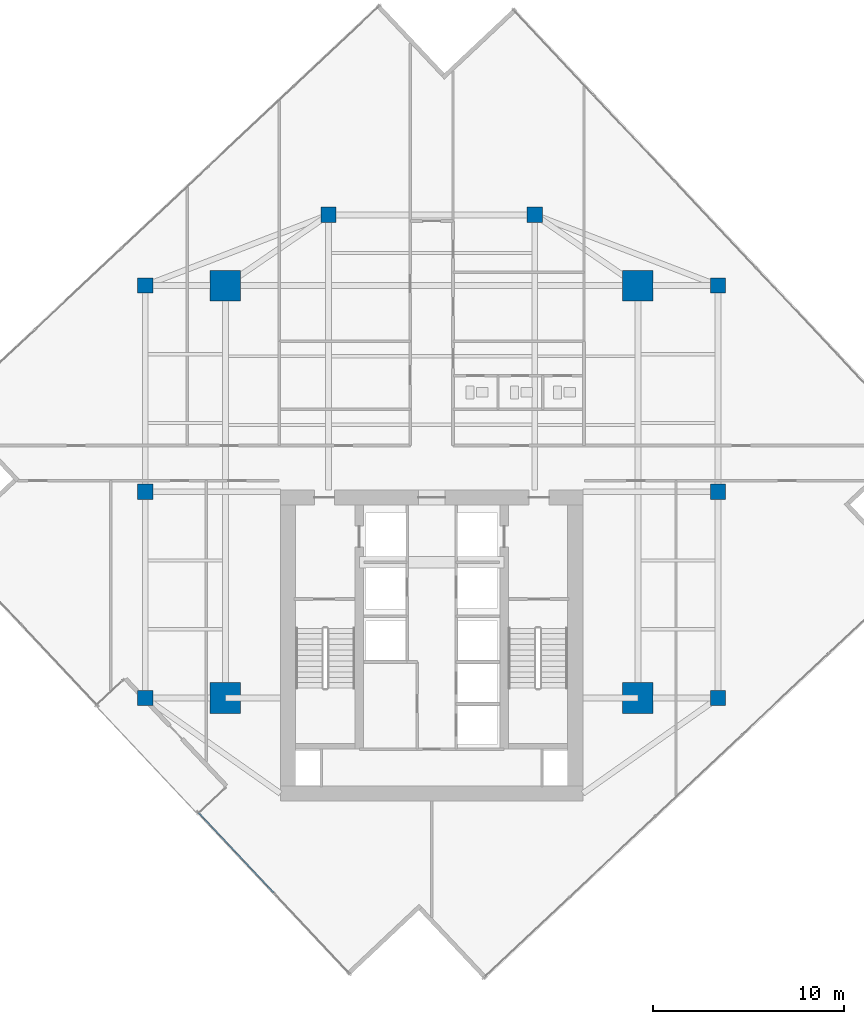
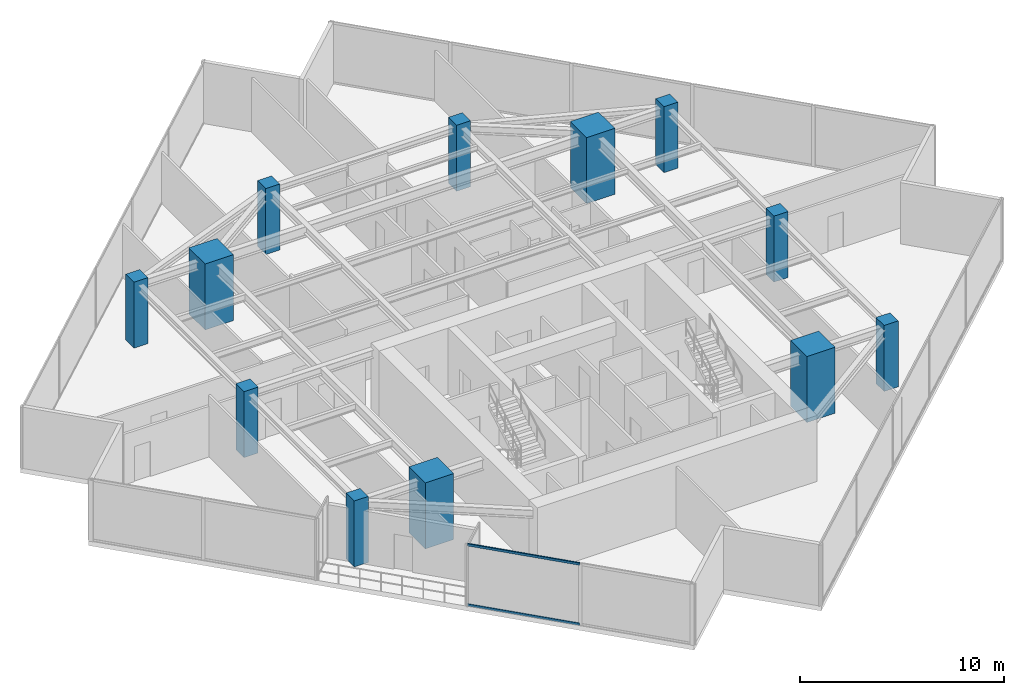
# One storey, part 1 of 24: 12 columns, 2 members, 1 element without a shape of its own.
"""IFC4 building model written with IfcOpenShell, lengths in metres."""

from ifc_helpers import new_model, si_unit, direction, frame, origin, origin_2d, place, context, subcontext, project, spatial, rectangle, hollow_rectangle, extrude, source, transform, mapped, material, material_profile, profile_set, type_object, type_shapes, element, aggregate, save


model = new_model("IFC4")

# Units and contexts
model_context = context("Model", 3, precision=1e-05, world=origin(), true_north=direction((0.0, 1.0)))
body_context = subcontext(model_context, "Body", "Model", "MODEL_VIEW")
ifc_project = project(units=[si_unit("LENGTHUNIT", "METRE"), si_unit("AREAUNIT", "SQUARE_METRE"), si_unit("VOLUMEUNIT", "CUBIC_METRE"), si_unit("PLANEANGLEUNIT", "RADIAN"), si_unit("MASSUNIT", "GRAM", prefix="KILO")], contexts=[model_context])

# Site, building, storey
site_placement = place(None, origin())
site = spatial("IfcSite", under=ifc_project, at=site_placement, CompositionType="ELEMENT")
building_placement = place(site_placement, origin())
building = spatial("IfcBuilding", under=site, at=building_placement, Name="Krantzveldt Concourse Tower", CompositionType="ELEMENT")
storey_placement = place(building_placement, frame((0.0, 0.0, 246.800048828125)))
storey = spatial("IfcBuildingStorey", under=building, at=storey_placement, Name="L60", CompositionType="ELEMENT", Elevation=246.800048828125)

# Columns
ifc_material_1 = material(Name="Concrete C50/60", Category="concrete")
ifc_material_profile_1 = material_profile(ifc_material_1, rectangle(XDim=1.60009765625, YDim=1.60009765625, at=origin_2d()), Name="Concrete C50/60", Category="concrete")
ifc_profile_set_1 = profile_set([ifc_material_profile_1], Name="Concrete C50/60 - RC 1600x1600")
column_type_1 = type_object("IfcColumnType", Name="COL-MC-1600", PredefinedType="USERDEFINED", material=ifc_profile_set_1)
shared_shape_1 = source(origin(), body_context, "Body", "SweptSolid", [
    extrude(rectangle(XDim=1.60009765625, YDim=1.60009765625, at=origin_2d()), origin(), (0.0, 0.0, 1.0), 3.949951171875),
])
type_shapes(column_type_1, [shared_shape_1])
for number, where, z_axis, x_axis, name in (
    (1, (25.199951171875, 15.89990234375, 0.0), (0.0, 0.0, 1.0), (1.0, 0.0, 0.0), "MC-SW-L60"),
    (2, (46.800048828125, 15.89990234375, 0.0), (0.0, 0.0, 1.0), (1.0, 0.0, 0.0), "MC-SE-L60"),
    (3, (46.800048828125, 37.5, 0.0), (0.0, 0.0, 1.0), (1.0, 0.0, 0.0), "MC-NE-L60"),
    (4, (25.199951171875, 37.5, 0.0), (0.0, 0.0, 1.0), (1.0, 0.0, 0.0), "MC-NW-L60"),
):
    element("IfcColumn", number, at=place(storey_placement, frame(where, z_axis=z_axis, x_axis=x_axis)), inside=storey, type_object=column_type_1, Name=name, ObjectType="MEGA COLUMN", PredefinedType="USERDEFINED", context=body_context, shape_type="MappedRepresentation", body=[
        mapped(shared_shape_1, transform((0.0, 0.0, 0.0), x_axis=(1.0, 0.0, 0.0), y_axis=(0.0, 1.0, 0.0), z_axis=(0.0, 0.0, 1.0), scale=1.0)),
    ])
ifc_material_profile_2 = material_profile(ifc_material_1, rectangle(XDim=0.800048828125, YDim=0.800048828125, at=origin_2d()), Name="Concrete C50/60", Category="concrete")
ifc_profile_set_2 = profile_set([ifc_material_profile_2], Name="Concrete C50/60 - RC 800x800")
column_type_2 = type_object("IfcColumnType", Name="COL-C-Z4", PredefinedType="COLUMN", material=ifc_profile_set_2)
shared_shape_2 = source(origin(), body_context, "Body", "SweptSolid", [
    extrude(rectangle(XDim=0.800048828125, YDim=0.800048828125, at=origin_2d()), origin(), (0.0, 0.0, 1.0), 3.949951171875),
])
type_shapes(column_type_2, [shared_shape_2])
for number, where, z_axis, x_axis, name in (
    (5, (21.0, 15.89990234375, 0.0), (0.0, 0.0, 1.0), (1.0, 0.0, 0.0), "PC-R01-L60"),
    (6, (21.0, 26.699951171875, 0.0), (0.0, 0.0, 1.0), (1.0, 0.0, 0.0), "PC-R02-L60"),
    (7, (21.0, 37.5, 0.0), (0.0, 0.0, 1.0), (1.0, 0.0, 0.0), "PC-R03-L60"),
    (8, (30.60009765625, 41.199951171875, 0.0), (0.0, 0.0, 1.0), (1.0, 0.0, 0.0), "PC-R04-L60"),
    (9, (41.39990234375, 41.199951171875, 0.0), (0.0, 0.0, 1.0), (1.0, 0.0, 0.0), "PC-R05-L60"),
    (10, (51.0, 37.5, 0.0), (0.0, 0.0, 1.0), (1.0, 0.0, 0.0), "PC-R06-L60"),
    (11, (51.0, 26.699951171875, 0.0), (0.0, 0.0, 1.0), (1.0, 0.0, 0.0), "PC-R07-L60"),
    (12, (51.0, 15.89990234375, 0.0), (0.0, 0.0, 1.0), (1.0, 0.0, 0.0), "PC-R08-L60"),
):
    element("IfcColumn", number, at=place(storey_placement, frame(where, z_axis=z_axis, x_axis=x_axis)), inside=storey, type_object=column_type_2, Name=name, PredefinedType="COLUMN", context=body_context, shape_type="MappedRepresentation", body=[
        mapped(shared_shape_2, transform((0.0, 0.0, 0.0), x_axis=(1.0, 0.0, 0.0), y_axis=(0.0, 1.0, 0.0), z_axis=(0.0, 0.0, 1.0), scale=1.0)),
    ])

# Curtain wall, members
ifc_material_2 = material(Name="Anodised aluminium 6063-T6", Category="aluminium")
curtain_wall_type = type_object("IfcCurtainWallType", Name="CW3", PredefinedType="USERDEFINED", material=ifc_material_2)
curtain_wall_placement = place(storey_placement, origin())
curtain_wall = element("IfcCurtainWall", 13, at=curtain_wall_placement, inside=storey, type_object=curtain_wall_type, Name="CW-L60-F08", ObjectType="UNITISED CURTAIN WALL", PredefinedType="USERDEFINED")
ifc_material_profile_3 = material_profile(ifc_material_2, hollow_rectangle(XDim=0.070068359375, YDim=0.139892578125, WallThickness=0.0048828125, at=origin_2d()), Name="Anodised aluminium 6063-T6", Category="aluminium")
ifc_profile_set_3 = profile_set([ifc_material_profile_3], Name="Anodised aluminium 6063-T6 - ALU-TRAN 140x70x5")
member_type = type_object("IfcMemberType", Name="CW-TRN-150", PredefinedType="USERDEFINED", material=ifc_profile_set_3)
shared_shape_3 = source(origin(), body_context, "Body", "SweptSolid", [
    extrude(hollow_rectangle(XDim=0.070068359375, YDim=0.139892578125, WallThickness=0.0048828125, at=origin_2d()), origin(), (0.0, 0.0, 1.0), 5.744873046875),
])
type_shapes(member_type, [shared_shape_3])
member_1_placement = place(storey_placement, frame((23.78564453125, 9.896728515625, 0.034912109375), z_axis=(0.685167163665, -0.728385857795, 0.0), x_axis=(0.728385857795, 0.685167163665, 0.0)))
member_1 = element("IfcMember", 14, at=member_1_placement, type_object=member_type, Name="CW-Z34 transom 1.1", ObjectType="TRANSOM", PredefinedType="USERDEFINED", context=body_context, shape_type="MappedRepresentation", body=[
    mapped(shared_shape_3, transform((0.0, 0.0, 0.0), x_axis=(1.0, 0.0, 0.0), y_axis=(0.0, 1.0, 0.0), z_axis=(0.0, 0.0, 1.0), scale=1.0)),
])
member_2_placement = place(storey_placement, frame((23.78564453125, 9.896728515625, 3.635009765625), z_axis=(0.685167163665, -0.728385857795, 0.0), x_axis=(0.728385857795, 0.685167163665, 0.0)))
member_2 = element("IfcMember", 15, at=member_2_placement, type_object=member_type, Name="CW-Z34 transom 1.2", ObjectType="TRANSOM", PredefinedType="USERDEFINED", context=body_context, shape_type="MappedRepresentation", body=[
    mapped(shared_shape_3, transform((0.0, 0.0, 0.0), x_axis=(1.0, 0.0, 0.0), y_axis=(0.0, 1.0, 0.0), z_axis=(0.0, 0.0, 1.0), scale=1.0)),
])
aggregate(curtain_wall, [member_1, member_2])

save(model, "model.ifc")
